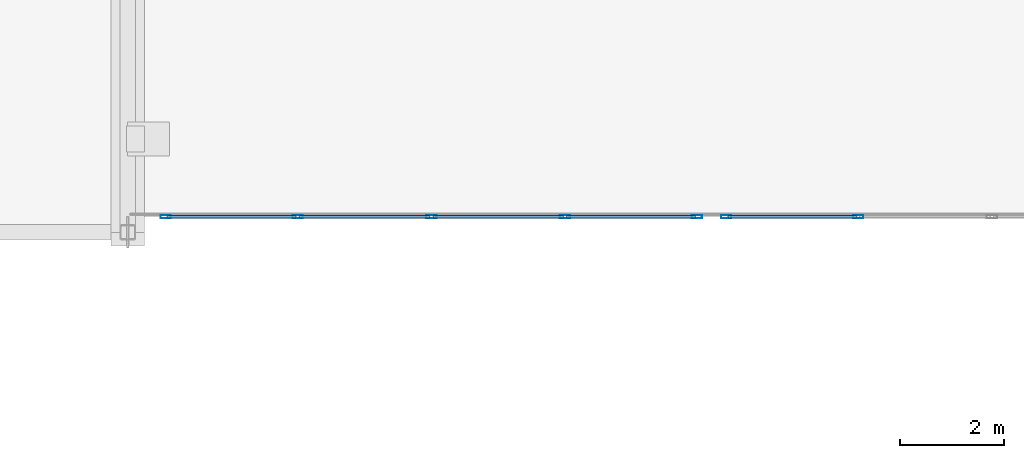
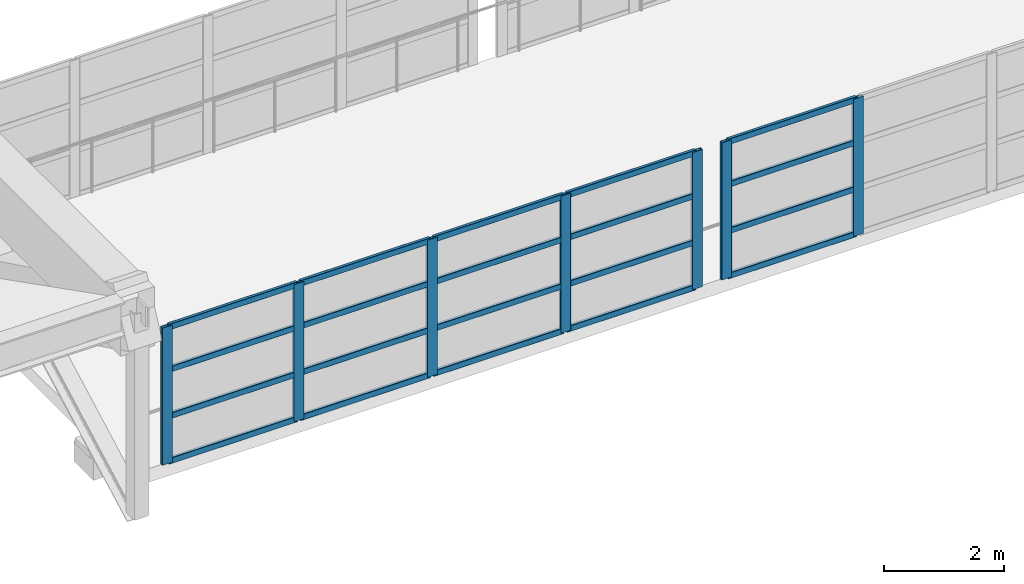
# One storey, part 34 of 132: 27 members, 2 elements without a shape of their own.
"""IFC4 building model written with IfcOpenShell, lengths in metres."""

from ifc_helpers import new_model, si_unit, direction, frame, origin, origin_2d, place, context, subcontext, project, spatial, hollow_rectangle, extrude, material, material_profile, profile_set, type_object, element, aggregate, save


model = new_model("IFC4")

# Units and contexts
model_context = context("Model", 3, precision=1e-05, world=origin(), true_north=direction((0.0, 1.0)))
body_context = subcontext(model_context, "Body", "Model", "MODEL_VIEW")
ifc_project = project(units=[si_unit("LENGTHUNIT", "METRE"), si_unit("AREAUNIT", "SQUARE_METRE"), si_unit("VOLUMEUNIT", "CUBIC_METRE"), si_unit("PLANEANGLEUNIT", "RADIAN"), si_unit("MASSUNIT", "GRAM", prefix="KILO")], contexts=[model_context])

# Site, building, storey
site_placement = place(None, origin())
site = spatial("IfcSite", under=ifc_project, at=site_placement, CompositionType="ELEMENT")
building_placement = place(site_placement, origin())
building = spatial("IfcBuilding", under=site, at=building_placement, Name="Qasida Concert Hall", CompositionType="ELEMENT")
storey_placement = place(building_placement, frame((0.0, 0.0, 4.800048828125)))
storey = spatial("IfcBuildingStorey", under=building, at=storey_placement, Name="L01", CompositionType="ELEMENT", Elevation=4.800048828125)

# Curtain wall, members
ifc_material_1 = material(Name="Architectural bronze-anodized aluminium and low-E glass", Category="aluminium")
curtain_wall_type = type_object("IfcCurtainWallType", Name="CW-07", PredefinedType="NOTDEFINED", material=ifc_material_1)
curtain_wall_1_placement = place(storey_placement, origin())
curtain_wall_1 = element("IfcCurtainWall", 1, at=curtain_wall_1_placement, inside=storey, type_object=curtain_wall_type, Name="L01 link bridge glazing 0234", PredefinedType="NOTDEFINED")
ifc_material_2 = material(Name="Architectural bronze-anodized aluminium EN AW-6063", Category="aluminium")
ifc_material_profile_1 = material_profile(ifc_material_2, hollow_rectangle(XDim=0.06494140625, YDim=0.199951171875, WallThickness=0.0048828125, InnerFilletRadius=0.0048828125, OuterFilletRadius=0.010009765625, at=origin_2d()), Name="CWM 200x65x5")
ifc_profile_set_1 = profile_set([ifc_material_profile_1], Name="Architectural bronze-anodized aluminium EN AW-6063")
member_type_1 = type_object("IfcMemberType", Name="MB-CWM-2", PredefinedType="MULLION", material=ifc_profile_set_1)
member_1_placement = place(storey_placement, frame((105.732421875, 15.0, 0.0), z_axis=(0.0, 0.0, 1.0), x_axis=(0.0, 1.0, 0.0)))
member_1 = element("IfcMember", 2, at=member_1_placement, type_object=member_type_1, Name="CW-07 mullion 1", PredefinedType="MULLION", context=body_context, shape_type="SweptSolid", body=[
    extrude(hollow_rectangle(XDim=0.06494140625, YDim=0.199951171875, WallThickness=0.0048828125, InnerFilletRadius=0.0048828125, OuterFilletRadius=0.010009765625, at=origin_2d()), origin(), (0.0, 0.0, 1.0), 2.800048828125),
])
member_2_placement = place(storey_placement, frame((108.27490234375, 15.0, 0.0), z_axis=(0.0, 0.0, 1.0), x_axis=(0.0, 1.0, 0.0)))
member_2 = element("IfcMember", 3, at=member_2_placement, type_object=member_type_1, Name="CW-07 mullion 2", PredefinedType="MULLION", context=body_context, shape_type="SweptSolid", body=[
    extrude(hollow_rectangle(XDim=0.06494140625, YDim=0.199951171875, WallThickness=0.0048828125, InnerFilletRadius=0.0048828125, OuterFilletRadius=0.010009765625, at=origin_2d()), origin(), (0.0, 0.0, 1.0), 2.800048828125),
])
member_3_placement = place(storey_placement, frame((110.85009765625, 15.0, 0.0), z_axis=(0.0, 0.0, 1.0), x_axis=(0.0, 1.0, 0.0)))
member_3 = element("IfcMember", 4, at=member_3_placement, type_object=member_type_1, Name="CW-07 mullion 3", PredefinedType="MULLION", context=body_context, shape_type="SweptSolid", body=[
    extrude(hollow_rectangle(XDim=0.06494140625, YDim=0.199951171875, WallThickness=0.0048828125, InnerFilletRadius=0.0048828125, OuterFilletRadius=0.010009765625, at=origin_2d()), origin(), (0.0, 0.0, 1.0), 2.800048828125),
])
member_4_placement = place(storey_placement, frame((113.425048828125, 15.0, 0.0), z_axis=(0.0, 0.0, 1.0), x_axis=(0.0, 1.0, 0.0)))
member_4 = element("IfcMember", 5, at=member_4_placement, type_object=member_type_1, Name="CW-07 mullion 4", PredefinedType="MULLION", context=body_context, shape_type="SweptSolid", body=[
    extrude(hollow_rectangle(XDim=0.06494140625, YDim=0.199951171875, WallThickness=0.0048828125, InnerFilletRadius=0.0048828125, OuterFilletRadius=0.010009765625, at=origin_2d()), origin(), (0.0, 0.0, 1.0), 2.800048828125),
])
member_5_placement = place(storey_placement, frame((115.967529296875, 15.0, 0.0), z_axis=(0.0, 0.0, 1.0), x_axis=(0.0, 1.0, 0.0)))
member_5 = element("IfcMember", 6, at=member_5_placement, type_object=member_type_1, Name="CW-07 mullion 5", PredefinedType="MULLION", context=body_context, shape_type="SweptSolid", body=[
    extrude(hollow_rectangle(XDim=0.06494140625, YDim=0.199951171875, WallThickness=0.0048828125, InnerFilletRadius=0.0048828125, OuterFilletRadius=0.010009765625, at=origin_2d()), origin(), (0.0, 0.0, 1.0), 2.800048828125),
])

curtain_wall_2_placement = place(storey_placement, origin())
curtain_wall_2 = element("IfcCurtainWall", 7, at=curtain_wall_2_placement, inside=storey, type_object=curtain_wall_type, Name="L01 link bridge glazing 0236", PredefinedType="NOTDEFINED")
member_6_placement = place(storey_placement, frame((116.532470703125, 15.0, 0.0), z_axis=(0.0, 0.0, 1.0), x_axis=(0.0, 1.0, 0.0)))
member_6 = element("IfcMember", 8, at=member_6_placement, type_object=member_type_1, Name="CW-07 mullion 1", PredefinedType="MULLION", context=body_context, shape_type="SweptSolid", body=[
    extrude(hollow_rectangle(XDim=0.06494140625, YDim=0.199951171875, WallThickness=0.0048828125, InnerFilletRadius=0.0048828125, OuterFilletRadius=0.010009765625, at=origin_2d()), origin(), (0.0, 0.0, 1.0), 2.800048828125),
])
member_7_placement = place(storey_placement, frame((119.074951171875, 15.0, 0.0), z_axis=(0.0, 0.0, 1.0), x_axis=(0.0, 1.0, 0.0)))
member_7 = element("IfcMember", 9, at=member_7_placement, type_object=member_type_1, Name="CW-07 mullion 2", PredefinedType="MULLION", context=body_context, shape_type="SweptSolid", body=[
    extrude(hollow_rectangle(XDim=0.06494140625, YDim=0.199951171875, WallThickness=0.0048828125, InnerFilletRadius=0.0048828125, OuterFilletRadius=0.010009765625, at=origin_2d()), origin(), (0.0, 0.0, 1.0), 2.800048828125),
])

# Member
ifc_material_profile_2 = material_profile(ifc_material_2, hollow_rectangle(XDim=0.06005859375, YDim=0.1201171875, WallThickness=0.00390625, InnerFilletRadius=0.00390625, OuterFilletRadius=0.008056640625, at=origin_2d()), Name="CWT 120x60x4")
ifc_profile_set_2 = profile_set([ifc_material_profile_2], Name="Architectural bronze-anodized aluminium EN AW-6063")
member_type_2 = type_object("IfcMemberType", Name="MB-CWT-2", PredefinedType="USERDEFINED", material=ifc_profile_set_2)
member_8_placement = place(storey_placement, frame((105.764892578125, 15.0, 0.030029296875), z_axis=(1.0, 0.0, 0.0), x_axis=(0.0, 1.0, 0.0)))
member_8 = element("IfcMember", 10, at=member_8_placement, type_object=member_type_2, Name="CW-07 transom 1.1", ObjectType="TRANSOM", PredefinedType="USERDEFINED", context=body_context, shape_type="SweptSolid", body=[
    extrude(hollow_rectangle(XDim=0.06005859375, YDim=0.1201171875, WallThickness=0.00390625, InnerFilletRadius=0.00390625, OuterFilletRadius=0.008056640625, at=origin_2d()), origin(), (0.0, 0.0, 1.0), 2.4775390625),
])

member_9_placement = place(storey_placement, frame((105.764892578125, 15.0, 0.949951171875), z_axis=(1.0, 0.0, 0.0), x_axis=(0.0, 1.0, 0.0)))
member_9 = element("IfcMember", 11, at=member_9_placement, type_object=member_type_2, Name="CW-07 transom 1.2", ObjectType="TRANSOM", PredefinedType="USERDEFINED", context=body_context, shape_type="SweptSolid", body=[
    extrude(hollow_rectangle(XDim=0.06005859375, YDim=0.1201171875, WallThickness=0.00390625, InnerFilletRadius=0.00390625, OuterFilletRadius=0.008056640625, at=origin_2d()), origin(), (0.0, 0.0, 1.0), 2.4775390625),
])

member_10_placement = place(storey_placement, frame((105.764892578125, 15.0, 1.89990234375), z_axis=(1.0, 0.0, 0.0), x_axis=(0.0, 1.0, 0.0)))
member_10 = element("IfcMember", 12, at=member_10_placement, type_object=member_type_2, Name="CW-07 transom 1.3", ObjectType="TRANSOM", PredefinedType="USERDEFINED", context=body_context, shape_type="SweptSolid", body=[
    extrude(hollow_rectangle(XDim=0.06005859375, YDim=0.1201171875, WallThickness=0.00390625, InnerFilletRadius=0.00390625, OuterFilletRadius=0.008056640625, at=origin_2d()), origin(), (0.0, 0.0, 1.0), 2.4775390625),
])

member_11_placement = place(storey_placement, frame((105.764892578125, 15.0, 2.77001953125), z_axis=(1.0, 0.0, 0.0), x_axis=(0.0, 1.0, 0.0)))
member_11 = element("IfcMember", 13, at=member_11_placement, type_object=member_type_2, Name="CW-07 transom 1.4", ObjectType="TRANSOM", PredefinedType="USERDEFINED", context=body_context, shape_type="SweptSolid", body=[
    extrude(hollow_rectangle(XDim=0.06005859375, YDim=0.1201171875, WallThickness=0.00390625, InnerFilletRadius=0.00390625, OuterFilletRadius=0.008056640625, at=origin_2d()), origin(), (0.0, 0.0, 1.0), 2.4775390625),
])

member_12_placement = place(storey_placement, frame((108.3076171875, 15.0, 0.030029296875), z_axis=(1.0, 0.0, 0.0), x_axis=(0.0, 1.0, 0.0)))
member_12 = element("IfcMember", 14, at=member_12_placement, type_object=member_type_2, Name="CW-07 transom 2.1", ObjectType="TRANSOM", PredefinedType="USERDEFINED", context=body_context, shape_type="SweptSolid", body=[
    extrude(hollow_rectangle(XDim=0.06005859375, YDim=0.1201171875, WallThickness=0.00390625, InnerFilletRadius=0.00390625, OuterFilletRadius=0.008056640625, at=origin_2d()), origin(), (0.0, 0.0, 1.0), 2.509765625),
])

member_13_placement = place(storey_placement, frame((108.3076171875, 15.0, 0.949951171875), z_axis=(1.0, 0.0, 0.0), x_axis=(0.0, 1.0, 0.0)))
member_13 = element("IfcMember", 15, at=member_13_placement, type_object=member_type_2, Name="CW-07 transom 2.2", ObjectType="TRANSOM", PredefinedType="USERDEFINED", context=body_context, shape_type="SweptSolid", body=[
    extrude(hollow_rectangle(XDim=0.06005859375, YDim=0.1201171875, WallThickness=0.00390625, InnerFilletRadius=0.00390625, OuterFilletRadius=0.008056640625, at=origin_2d()), origin(), (0.0, 0.0, 1.0), 2.509765625),
])

member_14_placement = place(storey_placement, frame((108.3076171875, 15.0, 1.89990234375), z_axis=(1.0, 0.0, 0.0), x_axis=(0.0, 1.0, 0.0)))
member_14 = element("IfcMember", 16, at=member_14_placement, type_object=member_type_2, Name="CW-07 transom 2.3", ObjectType="TRANSOM", PredefinedType="USERDEFINED", context=body_context, shape_type="SweptSolid", body=[
    extrude(hollow_rectangle(XDim=0.06005859375, YDim=0.1201171875, WallThickness=0.00390625, InnerFilletRadius=0.00390625, OuterFilletRadius=0.008056640625, at=origin_2d()), origin(), (0.0, 0.0, 1.0), 2.509765625),
])

member_15_placement = place(storey_placement, frame((108.3076171875, 15.0, 2.77001953125), z_axis=(1.0, 0.0, 0.0), x_axis=(0.0, 1.0, 0.0)))
member_15 = element("IfcMember", 17, at=member_15_placement, type_object=member_type_2, Name="CW-07 transom 2.4", ObjectType="TRANSOM", PredefinedType="USERDEFINED", context=body_context, shape_type="SweptSolid", body=[
    extrude(hollow_rectangle(XDim=0.06005859375, YDim=0.1201171875, WallThickness=0.00390625, InnerFilletRadius=0.00390625, OuterFilletRadius=0.008056640625, at=origin_2d()), origin(), (0.0, 0.0, 1.0), 2.509765625),
])

member_16_placement = place(storey_placement, frame((110.882568359375, 15.0, 0.030029296875), z_axis=(1.0, 0.0, 0.0), x_axis=(0.0, 1.0, 0.0)))
member_16 = element("IfcMember", 18, at=member_16_placement, type_object=member_type_2, Name="CW-07 transom 3.1", ObjectType="TRANSOM", PredefinedType="USERDEFINED", context=body_context, shape_type="SweptSolid", body=[
    extrude(hollow_rectangle(XDim=0.06005859375, YDim=0.1201171875, WallThickness=0.00390625, InnerFilletRadius=0.00390625, OuterFilletRadius=0.008056640625, at=origin_2d()), origin(), (0.0, 0.0, 1.0), 2.510009765625),
])

member_17_placement = place(storey_placement, frame((110.882568359375, 15.0, 0.949951171875), z_axis=(1.0, 0.0, 0.0), x_axis=(0.0, 1.0, 0.0)))
member_17 = element("IfcMember", 19, at=member_17_placement, type_object=member_type_2, Name="CW-07 transom 3.2", ObjectType="TRANSOM", PredefinedType="USERDEFINED", context=body_context, shape_type="SweptSolid", body=[
    extrude(hollow_rectangle(XDim=0.06005859375, YDim=0.1201171875, WallThickness=0.00390625, InnerFilletRadius=0.00390625, OuterFilletRadius=0.008056640625, at=origin_2d()), origin(), (0.0, 0.0, 1.0), 2.510009765625),
])

member_18_placement = place(storey_placement, frame((110.882568359375, 15.0, 1.89990234375), z_axis=(1.0, 0.0, 0.0), x_axis=(0.0, 1.0, 0.0)))
member_18 = element("IfcMember", 20, at=member_18_placement, type_object=member_type_2, Name="CW-07 transom 3.3", ObjectType="TRANSOM", PredefinedType="USERDEFINED", context=body_context, shape_type="SweptSolid", body=[
    extrude(hollow_rectangle(XDim=0.06005859375, YDim=0.1201171875, WallThickness=0.00390625, InnerFilletRadius=0.00390625, OuterFilletRadius=0.008056640625, at=origin_2d()), origin(), (0.0, 0.0, 1.0), 2.510009765625),
])

member_19_placement = place(storey_placement, frame((110.882568359375, 15.0, 2.77001953125), z_axis=(1.0, 0.0, 0.0), x_axis=(0.0, 1.0, 0.0)))
member_19 = element("IfcMember", 21, at=member_19_placement, type_object=member_type_2, Name="CW-07 transom 3.4", ObjectType="TRANSOM", PredefinedType="USERDEFINED", context=body_context, shape_type="SweptSolid", body=[
    extrude(hollow_rectangle(XDim=0.06005859375, YDim=0.1201171875, WallThickness=0.00390625, InnerFilletRadius=0.00390625, OuterFilletRadius=0.008056640625, at=origin_2d()), origin(), (0.0, 0.0, 1.0), 2.510009765625),
])

member_20_placement = place(storey_placement, frame((113.45751953125, 15.0, 0.030029296875), z_axis=(1.0, 0.0, 0.0), x_axis=(0.0, 1.0, 0.0)))
member_20 = element("IfcMember", 22, at=member_20_placement, type_object=member_type_2, Name="CW-07 transom 4.1", ObjectType="TRANSOM", PredefinedType="USERDEFINED", context=body_context, shape_type="SweptSolid", body=[
    extrude(hollow_rectangle(XDim=0.06005859375, YDim=0.1201171875, WallThickness=0.00390625, InnerFilletRadius=0.00390625, OuterFilletRadius=0.008056640625, at=origin_2d()), origin(), (0.0, 0.0, 1.0), 2.4775390625),
])

member_21_placement = place(storey_placement, frame((113.45751953125, 15.0, 0.949951171875), z_axis=(1.0, 0.0, 0.0), x_axis=(0.0, 1.0, 0.0)))
member_21 = element("IfcMember", 23, at=member_21_placement, type_object=member_type_2, Name="CW-07 transom 4.2", ObjectType="TRANSOM", PredefinedType="USERDEFINED", context=body_context, shape_type="SweptSolid", body=[
    extrude(hollow_rectangle(XDim=0.06005859375, YDim=0.1201171875, WallThickness=0.00390625, InnerFilletRadius=0.00390625, OuterFilletRadius=0.008056640625, at=origin_2d()), origin(), (0.0, 0.0, 1.0), 2.4775390625),
])

member_22_placement = place(storey_placement, frame((113.45751953125, 15.0, 1.89990234375), z_axis=(1.0, 0.0, 0.0), x_axis=(0.0, 1.0, 0.0)))
member_22 = element("IfcMember", 24, at=member_22_placement, type_object=member_type_2, Name="CW-07 transom 4.3", ObjectType="TRANSOM", PredefinedType="USERDEFINED", context=body_context, shape_type="SweptSolid", body=[
    extrude(hollow_rectangle(XDim=0.06005859375, YDim=0.1201171875, WallThickness=0.00390625, InnerFilletRadius=0.00390625, OuterFilletRadius=0.008056640625, at=origin_2d()), origin(), (0.0, 0.0, 1.0), 2.4775390625),
])

member_23_placement = place(storey_placement, frame((113.45751953125, 15.0, 2.77001953125), z_axis=(1.0, 0.0, 0.0), x_axis=(0.0, 1.0, 0.0)))
member_23 = element("IfcMember", 25, at=member_23_placement, type_object=member_type_2, Name="CW-07 transom 4.4", ObjectType="TRANSOM", PredefinedType="USERDEFINED", context=body_context, shape_type="SweptSolid", body=[
    extrude(hollow_rectangle(XDim=0.06005859375, YDim=0.1201171875, WallThickness=0.00390625, InnerFilletRadius=0.00390625, OuterFilletRadius=0.008056640625, at=origin_2d()), origin(), (0.0, 0.0, 1.0), 2.4775390625),
])

aggregate(curtain_wall_1, [member_1, member_2, member_3, member_4, member_5, member_8, member_9, member_10, member_11, member_12, member_13, member_14, member_15, member_16, member_17, member_18, member_19, member_20, member_21, member_22, member_23])

member_24_placement = place(storey_placement, frame((116.56494140625, 15.0, 0.030029296875), z_axis=(1.0, 0.0, 0.0), x_axis=(0.0, 1.0, 0.0)))
member_24 = element("IfcMember", 26, at=member_24_placement, type_object=member_type_2, Name="CW-07 transom 1.1", ObjectType="TRANSOM", PredefinedType="USERDEFINED", context=body_context, shape_type="SweptSolid", body=[
    extrude(hollow_rectangle(XDim=0.06005859375, YDim=0.1201171875, WallThickness=0.00390625, InnerFilletRadius=0.00390625, OuterFilletRadius=0.008056640625, at=origin_2d()), origin(), (0.0, 0.0, 1.0), 2.4775390625),
])

member_25_placement = place(storey_placement, frame((116.56494140625, 15.0, 0.949951171875), z_axis=(1.0, 0.0, 0.0), x_axis=(0.0, 1.0, 0.0)))
member_25 = element("IfcMember", 27, at=member_25_placement, type_object=member_type_2, Name="CW-07 transom 1.2", ObjectType="TRANSOM", PredefinedType="USERDEFINED", context=body_context, shape_type="SweptSolid", body=[
    extrude(hollow_rectangle(XDim=0.06005859375, YDim=0.1201171875, WallThickness=0.00390625, InnerFilletRadius=0.00390625, OuterFilletRadius=0.008056640625, at=origin_2d()), origin(), (0.0, 0.0, 1.0), 2.4775390625),
])

member_26_placement = place(storey_placement, frame((116.56494140625, 15.0, 1.89990234375), z_axis=(1.0, 0.0, 0.0), x_axis=(0.0, 1.0, 0.0)))
member_26 = element("IfcMember", 28, at=member_26_placement, type_object=member_type_2, Name="CW-07 transom 1.3", ObjectType="TRANSOM", PredefinedType="USERDEFINED", context=body_context, shape_type="SweptSolid", body=[
    extrude(hollow_rectangle(XDim=0.06005859375, YDim=0.1201171875, WallThickness=0.00390625, InnerFilletRadius=0.00390625, OuterFilletRadius=0.008056640625, at=origin_2d()), origin(), (0.0, 0.0, 1.0), 2.4775390625),
])

member_27_placement = place(storey_placement, frame((116.56494140625, 15.0, 2.77001953125), z_axis=(1.0, 0.0, 0.0), x_axis=(0.0, 1.0, 0.0)))
member_27 = element("IfcMember", 29, at=member_27_placement, type_object=member_type_2, Name="CW-07 transom 1.4", ObjectType="TRANSOM", PredefinedType="USERDEFINED", context=body_context, shape_type="SweptSolid", body=[
    extrude(hollow_rectangle(XDim=0.06005859375, YDim=0.1201171875, WallThickness=0.00390625, InnerFilletRadius=0.00390625, OuterFilletRadius=0.008056640625, at=origin_2d()), origin(), (0.0, 0.0, 1.0), 2.4775390625),
])

aggregate(curtain_wall_2, [member_6, member_7, member_24, member_25, member_26, member_27])

save(model, "model.ifc")
